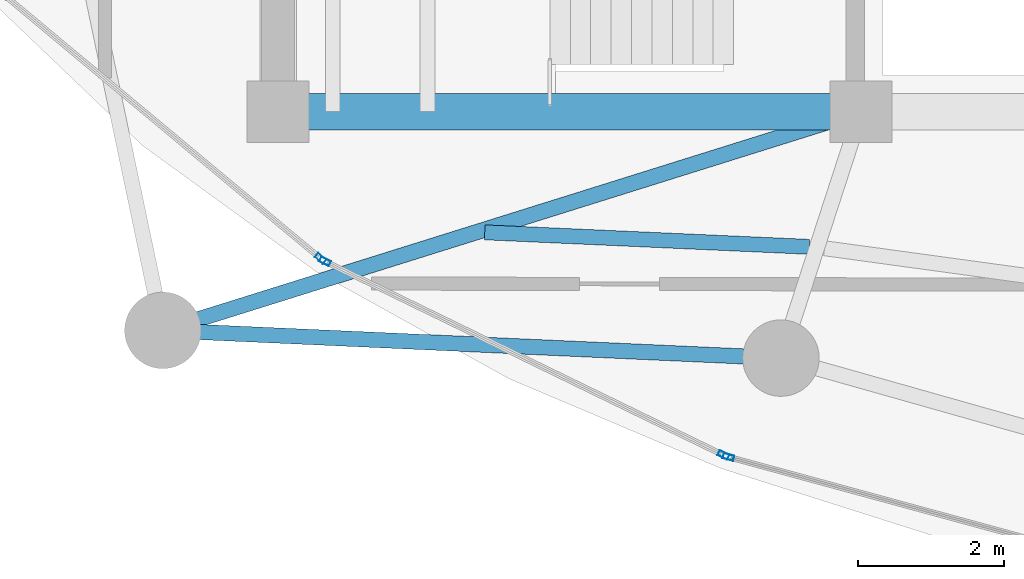
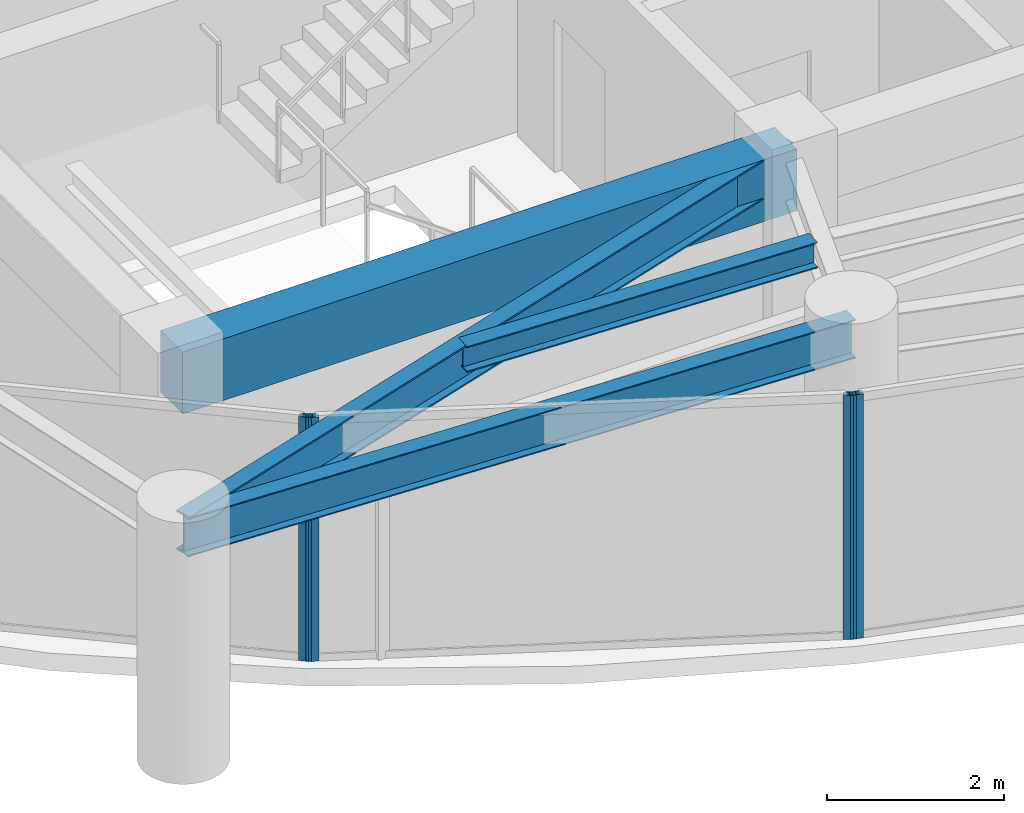
# One storey, part 2 of 30: 4 beams, 4 members, 3 elements without a shape of their own.
"""IFC4 building model written with IfcOpenShell, lengths in metres."""

from ifc_helpers import new_model, si_unit, direction, frame, origin, origin_2d, place, context, subcontext, project, spatial, rectangle, hollow_rectangle, i_section, extrude, material, layer, layer_set, material_profile, profile_set, type_object, element, aggregate, save


model = new_model("IFC4")

# Units and contexts
model_context = context("Model", 3, precision=1e-05, world=origin(), true_north=direction((0.0, 1.0)))
body_context = subcontext(model_context, "Body", "Model", "MODEL_VIEW")
ifc_project = project(units=[si_unit("LENGTHUNIT", "METRE"), si_unit("AREAUNIT", "SQUARE_METRE"), si_unit("VOLUMEUNIT", "CUBIC_METRE"), si_unit("PLANEANGLEUNIT", "RADIAN"), si_unit("MASSUNIT", "GRAM", prefix="KILO")], contexts=[model_context])

# Site, building, storey
site_placement = place(None, origin())
site = spatial("IfcSite", under=ifc_project, at=site_placement, CompositionType="ELEMENT")
building_placement = place(site_placement, origin())
building = spatial("IfcBuilding", under=site, at=building_placement, Name="Kazevale Care Tower and Concert Hall", CompositionType="ELEMENT")
storey_placement = place(building_placement, frame((0.0, 0.0, 242.39990234375)))
storey = spatial("IfcBuildingStorey", under=building, at=storey_placement, Name="L64", CompositionType="ELEMENT", Elevation=242.39990234375)

# Curtain wall, member
ifc_material_1 = material(Name="Aluminium 6063-T6 and Low-E Glass", Category="aluminium")
ifc_layer = layer(ifc_material_1, 0.179931640625)
ifc_layer_set = layer_set([ifc_layer], Name="Aluminium 6063-T6 and Low-E Glass")
curtain_wall_type = type_object("IfcCurtainWallType", Name="Sheltered Concave Balcony Curtain Wall CW-5", PredefinedType="NOTDEFINED", material=ifc_layer_set)
curtain_wall_1_placement = place(storey_placement, origin())
curtain_wall_1 = element("IfcCurtainWall", 1, at=curtain_wall_1_placement, inside=storey, type_object=curtain_wall_type, Name="cw:L64:f08", PredefinedType="NOTDEFINED")
ifc_material_2 = material(Name="Aluminium 6063-T6", Category="aluminium")
ifc_material_profile_1 = material_profile(ifc_material_2, hollow_rectangle(XDim=0.074951171875, YDim=0.14990234375, WallThickness=0.00390625, at=origin_2d()), Name="ALU75x150x4")
ifc_profile_set_1 = profile_set([ifc_material_profile_1], Name="Aluminium 6063-T6")
member_type = type_object("IfcMemberType", Name="CW-5 Mullion ALU75x150x4", PredefinedType="MULLION", material=ifc_profile_set_1)
member_1_placement = place(storey_placement, frame((28.18017578125, 18.863037109375, 0.0), z_axis=(0.0, 0.0, 1.0), x_axis=(-0.262848968947, -0.964836991167, 0.0)))
member_1 = element("IfcMember", 2, at=member_1_placement, type_object=member_type, Name="CW-5 mullion 2", PredefinedType="MULLION", context=body_context, shape_type="SweptSolid", body=[
    extrude(hollow_rectangle(XDim=0.074951171875, YDim=0.14990234375, WallThickness=0.00390625, at=origin_2d()), origin(), (0.0, 0.0, 1.0), 3.360107421875),
])
aggregate(curtain_wall_1, [member_1])

# Curtain wall, members
curtain_wall_2_placement = place(storey_placement, origin())
curtain_wall_2 = element("IfcCurtainWall", 3, at=curtain_wall_2_placement, inside=storey, type_object=curtain_wall_type, Name="cw:L64:f09", PredefinedType="NOTDEFINED")
member_2_placement = place(storey_placement, frame((28.1103515625, 18.889404296875, 0.0), z_axis=(0.0, 0.0, 1.0), x_axis=(-0.437238357087, -0.89934566163, 0.0)))
member_2 = element("IfcMember", 4, at=member_2_placement, type_object=member_type, Name="CW-5 mullion 1", PredefinedType="MULLION", context=body_context, shape_type="SweptSolid", body=[
    extrude(hollow_rectangle(XDim=0.074951171875, YDim=0.14990234375, WallThickness=0.00390625, at=origin_2d()), origin(), (0.0, 0.0, 1.0), 3.360107421875),
])
member_3_placement = place(storey_placement, frame((22.644775390625, 21.546630859375, 0.0), z_axis=(0.0, 0.0, 1.0), x_axis=(-0.437238357087, -0.89934566163, 0.0)))
member_3 = element("IfcMember", 5, at=member_3_placement, type_object=member_type, Name="CW-5 mullion 2", PredefinedType="MULLION", context=body_context, shape_type="SweptSolid", body=[
    extrude(hollow_rectangle(XDim=0.074951171875, YDim=0.14990234375, WallThickness=0.00390625, at=origin_2d()), origin(), (0.0, 0.0, 1.0), 3.360107421875),
])
aggregate(curtain_wall_2, [member_2, member_3])

# Curtain wall, member
curtain_wall_3_placement = place(storey_placement, origin())
curtain_wall_3 = element("IfcCurtainWall", 6, at=curtain_wall_3_placement, inside=storey, type_object=curtain_wall_type, Name="cw:L64:f10", PredefinedType="NOTDEFINED")
member_4_placement = place(storey_placement, frame((22.582275390625, 21.5869140625, 0.0), z_axis=(0.0, 0.0, 1.0), x_axis=(-0.639961217204, -0.768407210062, 0.0)))
member_4 = element("IfcMember", 7, at=member_4_placement, type_object=member_type, Name="CW-5 mullion 1", PredefinedType="MULLION", context=body_context, shape_type="SweptSolid", body=[
    extrude(hollow_rectangle(XDim=0.074951171875, YDim=0.14990234375, WallThickness=0.00390625, at=origin_2d()), origin(), (0.0, 0.0, 1.0), 3.360107421875),
])
aggregate(curtain_wall_3, [member_4])

# Beams
ifc_material_3 = material(Name="Concrete C60", Category="concrete")
ifc_material_profile_2 = material_profile(ifc_material_3, rectangle(XDim=0.5, YDim=0.85009765625, at=origin_2d()), Name="RC-B500x850")
ifc_profile_set_2 = profile_set([ifc_material_profile_2], Name="Concrete C60")
beam_type_1 = type_object("IfcBeamType", Name="Core Coupling Beam RC500x850", PredefinedType="LINTEL", material=ifc_profile_set_2)
beam_1_placement = place(storey_placement, frame((22.0, 23.60009765625, 2.93505859375), z_axis=(1.0, 0.0, 0.0), x_axis=(0.0, 1.0, 0.0)))
element("IfcBeam", 8, at=beam_1_placement, inside=storey, type_object=beam_type_1, Name="beam:L64:coretie:1", PredefinedType="LINTEL", context=body_context, shape_type="SweptSolid", body=[
    extrude(rectangle(XDim=0.5, YDim=0.85009765625, at=origin_2d()), origin(), (0.0, 0.0, 1.0), 8.0),
])
ifc_material_4 = material(Name="Steel ASTM A572 Gr 50", Category="steel")
ifc_material_profile_3 = material_profile(ifc_material_4, i_section(OverallWidth=0.2119140625, OverallDepth=0.5439453125, WebThickness=0.01318359375, FlangeThickness=0.021240234375, at=origin_2d()), Name="W530x123")
ifc_profile_set_3 = profile_set([ifc_material_profile_3], Name="Steel ASTM A572 Gr 50")
beam_type_2 = type_object("IfcBeamType", Name="Radial Floor Girder W530x123", PredefinedType="BEAM", material=ifc_profile_set_3)
beam_2_placement = place(storey_placement, frame((30.0, 23.60009765625, 3.088134765625), z_axis=(-0.954303255322, -0.298839918486, 0.0), x_axis=(0.298839918486, -0.954303255322, 0.0)))
element("IfcBeam", 9, at=beam_2_placement, inside=storey, type_object=beam_type_2, Name="beam:L64:rad:10", PredefinedType="BEAM", context=body_context, shape_type="SweptSolid", body=[
    extrude(i_section(OverallWidth=0.2119140625, OverallDepth=0.5439453125, WebThickness=0.01318359375, FlangeThickness=0.021240234375, at=origin_2d()), origin(), (0.0, 0.0, 1.0), 10.038818359375),
])
ifc_material_profile_4 = material_profile(ifc_material_4, i_section(OverallWidth=0.205078125, OverallDepth=0.35400390625, WebThickness=0.009521484375, FlangeThickness=0.016845703125, at=origin_2d()), Name="W360x79")
ifc_profile_set_4 = profile_set([ifc_material_profile_4], Name="Steel ASTM A572 Gr 50")
beam_type_3 = type_object("IfcBeamType", Name="Secondary Floor Joist W360x79", PredefinedType="JOIST", material=ifc_profile_set_4)
beam_3_placement = place(storey_placement, frame((24.8359375, 21.945068359375, 3.18310546875), z_axis=(0.999003687274, -0.044627713502, 0.0), x_axis=(0.044627713502, 0.999003687274, 0.0)))
element("IfcBeam", 10, at=beam_3_placement, inside=storey, type_object=beam_type_3, Name="beam:L64:joist:10", PredefinedType="JOIST", context=body_context, shape_type="SweptSolid", body=[
    extrude(i_section(OverallWidth=0.205078125, OverallDepth=0.35400390625, WebThickness=0.009521484375, FlangeThickness=0.016845703125, at=origin_2d()), origin(), (0.0, 0.0, 1.0), 4.45849609375),
])
ifc_material_profile_5 = material_profile(ifc_material_4, i_section(OverallWidth=0.208984375, OverallDepth=0.532958984375, WebThickness=0.01025390625, FlangeThickness=0.015625, at=origin_2d()), Name="W530x92")
ifc_profile_set_5 = profile_set([ifc_material_profile_5], Name="Steel ASTM A572 Gr 50")
beam_type_4 = type_object("IfcBeamType", Name="Upper Ring Beam W530x92", PredefinedType="BEAM", material=ifc_profile_set_5)
beam_4_placement = place(storey_placement, frame((20.419921875, 20.60009765625, 3.093505859375), z_axis=(0.998996808771, -0.044781425441, 0.0), x_axis=(0.044781425441, 0.998996808771, 0.0)))
element("IfcBeam", 11, at=beam_4_placement, inside=storey, type_object=beam_type_4, Name="beam:L64:ring:10", PredefinedType="BEAM", context=body_context, shape_type="SweptSolid", body=[
    extrude(i_section(OverallWidth=0.208984375, OverallDepth=0.532958984375, WebThickness=0.01025390625, FlangeThickness=0.015625, at=origin_2d()), origin(), (0.0, 0.0, 1.0), 8.488525390625),
])

save(model, "model.ifc")
